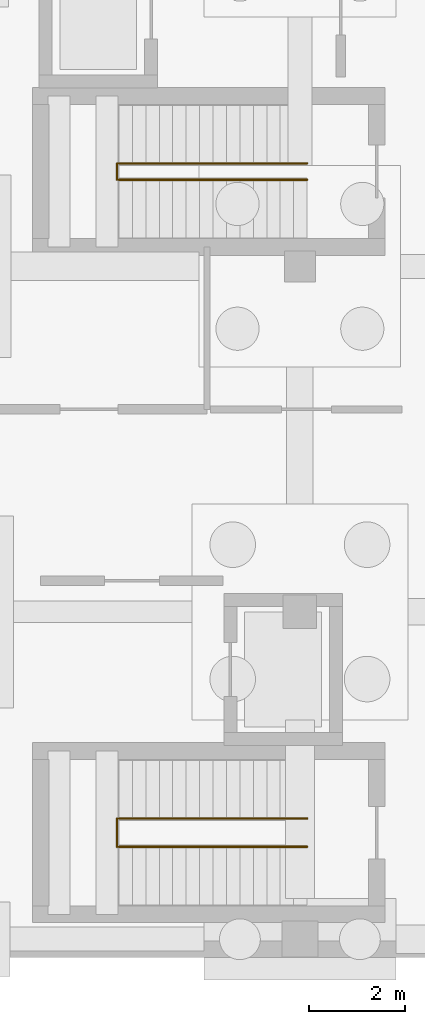
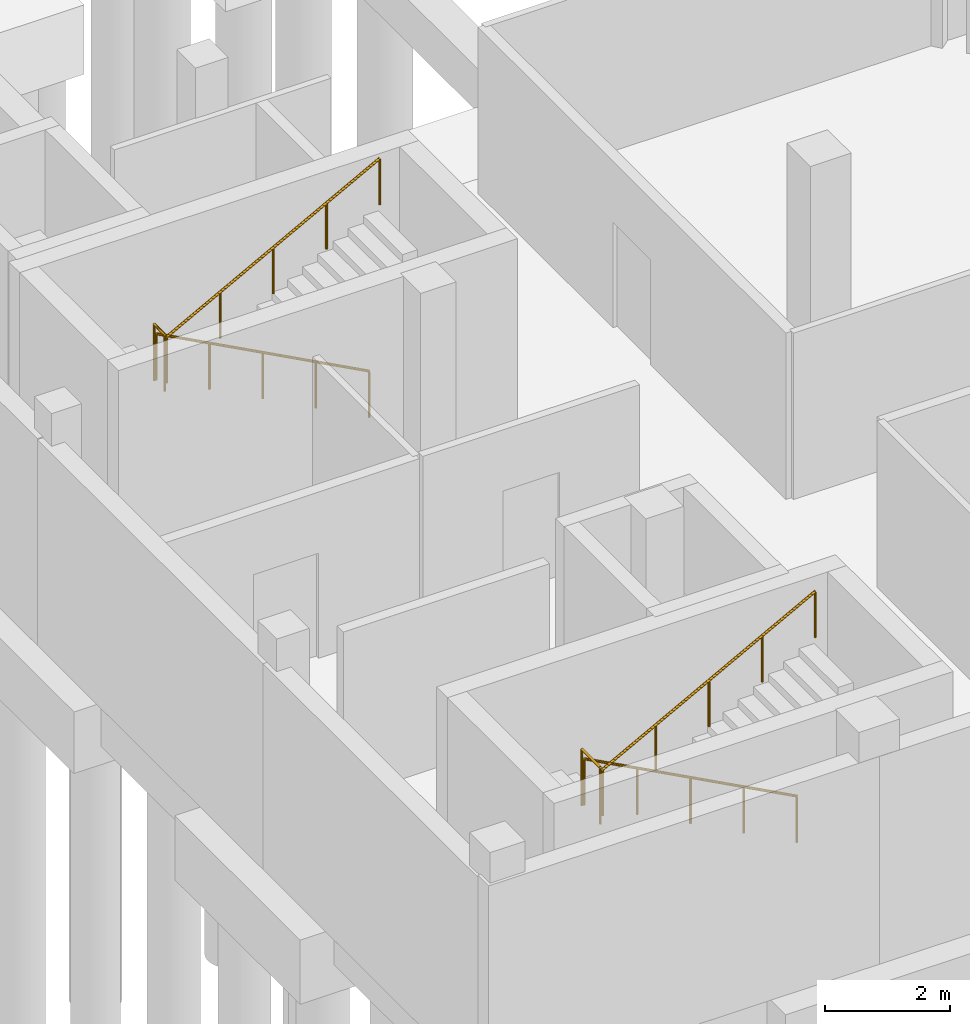
# One storey, part 35 of 41: 6 railings.
"""IFC4 building model written with IfcOpenShell, lengths in metres."""

from ifc_helpers import new_model, si_unit, direction, frame, origin, origin_2d, place, context, subcontext, project, spatial, circle, extrude, material, type_object, element, save


model = new_model("IFC4")

# Units and contexts
model_context = context("Model", 3, precision=1e-05, world=origin(), true_north=direction((0.0, 1.0)))
body_context = subcontext(model_context, "Body", "Model", "MODEL_VIEW")
ifc_project = project(units=[si_unit("LENGTHUNIT", "METRE"), si_unit("AREAUNIT", "SQUARE_METRE"), si_unit("VOLUMEUNIT", "CUBIC_METRE"), si_unit("PLANEANGLEUNIT", "RADIAN"), si_unit("MASSUNIT", "GRAM", prefix="KILO")], contexts=[model_context])

# Site, building, storey
site_placement = place(None, origin())
site = spatial("IfcSite", under=ifc_project, at=site_placement, CompositionType="ELEMENT")
building_placement = place(site_placement, origin())
building = spatial("IfcBuilding", under=site, at=building_placement, Name="Vardoun Plaza Health Centre", CompositionType="ELEMENT")
storey_placement = place(building_placement, frame((0.0, 0.0, -4.5)))
storey = spatial("IfcBuildingStorey", under=building, at=storey_placement, Name="B1", CompositionType="ELEMENT", Elevation=-4.5)

# Railings
ifc_material_1 = material(Name="Painted Steel S275JR Stair-Well Guardrail", Category="steel")
railing_type_1 = type_object("IfcRailingType", Name="GR-04", PredefinedType="GUARDRAIL", material=ifc_material_1)
railing_1_placement = place(storey_placement, frame((7.889892578125, 6.804931640625, 2.25)))
element("IfcRailing", 1, at=railing_1_placement, inside=storey, type_object=railing_type_1, Name="Stair ST-C1-B1 Mid-Landing Well Guard", PredefinedType="GUARDRAIL", context=body_context, shape_type="SweptSolid", body=[
    extrude(circle(Radius=0.02392578125, at=origin_2d()), frame((0.0, 0.0, 1.09619140625), z_axis=(0.0, 1.0, 0.0), x_axis=(-1.0, 0.0, 0.0)), (0.0, 0.0, 1.0), 0.590087890625),
    extrude(circle(Radius=0.02099609375, at=origin_2d()), origin(), (0.0, 0.0, 1.0), 1.072021484375),
    extrude(circle(Radius=0.02099609375, at=origin_2d()), frame((0.0, 0.590087890625, 0.0)), (0.0, 0.0, 1.0), 1.072021484375),
])
railing_2_placement = place(storey_placement, frame((7.889892578125, 20.705078125, 2.25)))
element("IfcRailing", 2, at=railing_2_placement, inside=storey, type_object=railing_type_1, Name="Stair ST-C2-B1 Mid-Landing Well Guard", PredefinedType="GUARDRAIL", context=body_context, shape_type="SweptSolid", body=[
    extrude(circle(Radius=0.02392578125, at=origin_2d()), frame((0.0, 0.0, 1.09619140625), z_axis=(0.0, 1.0, 0.0), x_axis=(-1.0, 0.0, 0.0)), (0.0, 0.0, 1.0), 0.33984375),
    extrude(circle(Radius=0.02099609375, at=origin_2d()), origin(), (0.0, 0.0, 1.0), 1.072021484375),
    extrude(circle(Radius=0.02099609375, at=origin_2d()), frame((0.0, 0.33984375, 0.0)), (0.0, 0.0, 1.0), 1.072021484375),
])
ifc_material_2 = material(Name="Brushed Stainless Steel Grade 316L", Category="steel")
railing_type_2 = type_object("IfcRailingType", Name="HR-01", PredefinedType="HANDRAIL", material=ifc_material_2)
railing_3_placement = place(storey_placement, frame((11.85009765625, 7.39501953125, 0.14990234375)))
element("IfcRailing", 3, at=railing_3_placement, inside=storey, type_object=railing_type_2, Name="Stair ST-C1-B1 Flight 1 Handrail", PredefinedType="HANDRAIL", context=body_context, shape_type="SweptSolid", body=[
    extrude(circle(Radius=0.02392578125, at=origin_2d()), frame((0.0, 0.0, 0.89599609375), z_axis=(-0.881479153919, 0.0, 0.472222935917), x_axis=(0.0, -1.0, 0.0)), (0.0, 0.0, 1.0), 4.447265625),
    extrude(circle(Radius=0.02099609375, at=origin_2d()), origin(), (0.0, 0.0, 1.0), 0.871826171875),
    extrude(circle(Radius=0.02099609375, at=origin_2d()), frame((-0.97998046875, 0.0, 0.52490234375)), (0.0, 0.0, 1.0), 0.871826171875),
    extrude(circle(Radius=0.02099609375, at=origin_2d()), frame((-1.9599609375, 0.0, 1.050048828125)), (0.0, 0.0, 1.0), 0.871826171875),
    extrude(circle(Radius=0.02099609375, at=origin_2d()), frame((-2.940185546875, 0.0, 1.5751953125)), (0.0, 0.0, 1.0), 0.871826171875),
    extrude(circle(Radius=0.02099609375, at=origin_2d()), frame((-3.920166015625, 0.0, 2.10009765625)), (0.0, 0.0, 1.0), 0.871826171875),
])
railing_4_placement = place(storey_placement, frame((7.929931640625, 6.804931640625, 2.39990234375)))
element("IfcRailing", 4, at=railing_4_placement, inside=storey, type_object=railing_type_2, Name="Stair ST-C1-B1 Flight 2 Handrail", PredefinedType="HANDRAIL", context=body_context, shape_type="SweptSolid", body=[
    extrude(circle(Radius=0.02392578125, at=origin_2d()), frame((0.0, 0.0, 0.89599609375), z_axis=(0.881479153919, 0.0, 0.472222935917), x_axis=(0.0, 1.0, 0.0)), (0.0, 0.0, 1.0), 4.447265625),
    extrude(circle(Radius=0.02099609375, at=origin_2d()), origin(), (0.0, 0.0, 1.0), 0.871826171875),
    extrude(circle(Radius=0.02099609375, at=origin_2d()), frame((0.97998046875, 0.0, 0.52490234375)), (0.0, 0.0, 1.0), 0.871826171875),
    extrude(circle(Radius=0.02099609375, at=origin_2d()), frame((1.9599609375, 0.0, 1.050048828125)), (0.0, 0.0, 1.0), 0.871826171875),
    extrude(circle(Radius=0.02099609375, at=origin_2d()), frame((2.940185546875, 0.0, 1.5751953125)), (0.0, 0.0, 1.0), 0.871826171875),
    extrude(circle(Radius=0.02099609375, at=origin_2d()), frame((3.920166015625, 0.0, 2.10009765625)), (0.0, 0.0, 1.0), 0.871826171875),
])
railing_5_placement = place(storey_placement, frame((11.85009765625, 21.044921875, 0.14990234375)))
element("IfcRailing", 5, at=railing_5_placement, inside=storey, type_object=railing_type_2, Name="Stair ST-C2-B1 Flight 1 Handrail", PredefinedType="HANDRAIL", context=body_context, shape_type="SweptSolid", body=[
    extrude(circle(Radius=0.02392578125, at=origin_2d()), frame((0.0, 0.0, 0.89599609375), z_axis=(-0.881479153919, 0.0, 0.472222935917), x_axis=(0.0, -1.0, 0.0)), (0.0, 0.0, 1.0), 4.447265625),
    extrude(circle(Radius=0.02099609375, at=origin_2d()), origin(), (0.0, 0.0, 1.0), 0.871826171875),
    extrude(circle(Radius=0.02099609375, at=origin_2d()), frame((-0.97998046875, 0.0, 0.52490234375)), (0.0, 0.0, 1.0), 0.871826171875),
    extrude(circle(Radius=0.02099609375, at=origin_2d()), frame((-1.9599609375, 0.0, 1.050048828125)), (0.0, 0.0, 1.0), 0.871826171875),
    extrude(circle(Radius=0.02099609375, at=origin_2d()), frame((-2.940185546875, 0.0, 1.5751953125)), (0.0, 0.0, 1.0), 0.871826171875),
    extrude(circle(Radius=0.02099609375, at=origin_2d()), frame((-3.920166015625, 0.0, 2.10009765625)), (0.0, 0.0, 1.0), 0.871826171875),
])
railing_6_placement = place(storey_placement, frame((7.929931640625, 20.705078125, 2.39990234375)))
element("IfcRailing", 6, at=railing_6_placement, inside=storey, type_object=railing_type_2, Name="Stair ST-C2-B1 Flight 2 Handrail", PredefinedType="HANDRAIL", context=body_context, shape_type="SweptSolid", body=[
    extrude(circle(Radius=0.02392578125, at=origin_2d()), frame((0.0, 0.0, 0.89599609375), z_axis=(0.881479153919, 0.0, 0.472222935917), x_axis=(0.0, 1.0, 0.0)), (0.0, 0.0, 1.0), 4.447265625),
    extrude(circle(Radius=0.02099609375, at=origin_2d()), origin(), (0.0, 0.0, 1.0), 0.871826171875),
    extrude(circle(Radius=0.02099609375, at=origin_2d()), frame((0.97998046875, 0.0, 0.52490234375)), (0.0, 0.0, 1.0), 0.871826171875),
    extrude(circle(Radius=0.02099609375, at=origin_2d()), frame((1.9599609375, 0.0, 1.050048828125)), (0.0, 0.0, 1.0), 0.871826171875),
    extrude(circle(Radius=0.02099609375, at=origin_2d()), frame((2.940185546875, 0.0, 1.5751953125)), (0.0, 0.0, 1.0), 0.871826171875),
    extrude(circle(Radius=0.02099609375, at=origin_2d()), frame((3.920166015625, 0.0, 2.10009765625)), (0.0, 0.0, 1.0), 0.871826171875),
])

save(model, "model.ifc")
